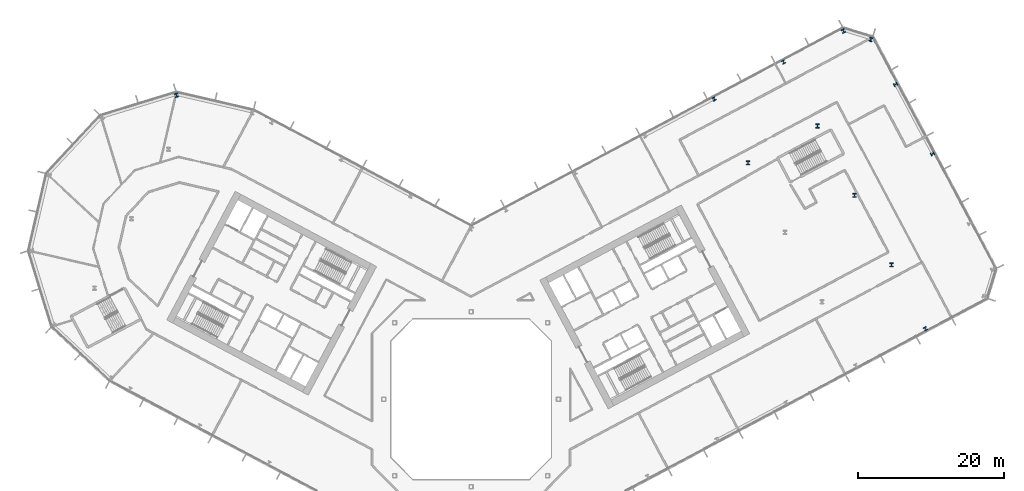
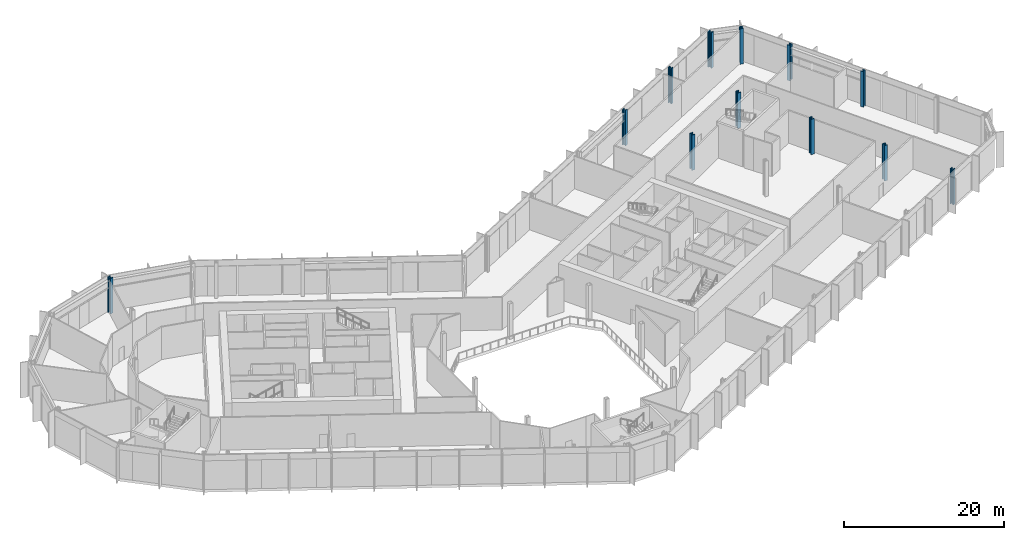
# One storey, part 4 of 31: 12 columns.
"""IFC4 building model written with IfcOpenShell, lengths in metres."""

from ifc_helpers import new_model, si_unit, direction, frame, origin, origin_2d, place, context, subcontext, project, spatial, i_section, extrude, material, material_profile, profile_set, type_object, element, save


model = new_model("IFC4")

# Units and contexts
model_context = context("Model", 3, precision=1e-05, world=origin(), true_north=direction((0.0, 1.0)))
body_context = subcontext(model_context, "Body", "Model", "MODEL_VIEW")
ifc_project = project(units=[si_unit("LENGTHUNIT", "METRE"), si_unit("AREAUNIT", "SQUARE_METRE"), si_unit("VOLUMEUNIT", "CUBIC_METRE"), si_unit("PLANEANGLEUNIT", "RADIAN"), si_unit("MASSUNIT", "GRAM", prefix="KILO")], contexts=[model_context])

# Site, building, storey
site_placement = place(None, origin())
site = spatial("IfcSite", under=ifc_project, at=site_placement, CompositionType="ELEMENT")
building_placement = place(site_placement, origin())
building = spatial("IfcBuilding", under=site, at=building_placement, Name="Cormorant Relay Tower", CompositionType="ELEMENT")
storey_placement = place(building_placement, frame((0.0, 0.0, 50.0)))
storey = spatial("IfcBuildingStorey", under=building, at=storey_placement, Name="L09", CompositionType="ELEMENT", Elevation=50.0)

# Columns
ifc_material_1 = material(Name="Steel ASTM A992 (Fy 345 MPa)", Category="steel")
ifc_material_profile_1 = material_profile(ifc_material_1, i_section(OverallWidth=0.45458984375, OverallDepth=0.569091796875, WebThickness=0.077880859375, FlangeThickness=0.124755859375, FilletRadius=0.015380859375, at=origin_2d()), Name="W360x1086")
ifc_profile_set_1 = profile_set([ifc_material_profile_1], Name="Steel ASTM A992 (Fy 345 MPa)")
column_type_1 = type_object("IfcColumnType", Name="Column W360x1086", PredefinedType="COLUMN", material=ifc_profile_set_1)
for number, where, z_axis, x_axis, name in (
    (1, (57.694091796875, 18.445068359375, 0.0), (0.0, 0.0, 1.0), (1.0, 0.0, 0.0), "Column L09-029"),
    (2, (52.6240234375, 27.98095703125, 0.0), (0.0, 0.0, 1.0), (1.0, 0.0, 0.0), "Column L09-037"),
    (3, (38.01806640625, 32.446044921875, 0.0), (0.0, 0.0, 1.0), (1.0, 0.0, 0.0), "Column L09-040"),
    (4, (47.552978515625, 37.51611328125, 0.0), (0.0, 0.0, 1.0), (1.0, 0.0, 0.0), "Column L09-045"),
    (5, (-40.451904296875, 41.73388671875, 0.0), (0.0, 0.0, 1.0), (-0.956304755963, -0.292371704723, 0.0), "Column L09-050"),
    (6, (54.866943359375, 49.385986328125, 0.0), (0.0, 0.0, 1.0), (-0.956304755963, 0.292371704723, 0.0), "Column L09-053"),
    (7, (51.10302734375, 50.537109375, 0.0), (0.0, 0.0, 1.0), (-0.882947592859, -0.469471562786, 0.0), "Column L09-054"),
):
    element("IfcColumn", number, at=place(storey_placement, frame(where, z_axis=z_axis, x_axis=x_axis)), inside=storey, type_object=column_type_1, Name=name, PredefinedType="COLUMN", context=body_context, shape_type="SweptSolid", body=[
        extrude(i_section(OverallWidth=0.45458984375, OverallDepth=0.569091796875, WebThickness=0.077880859375, FlangeThickness=0.124755859375, FilletRadius=0.015380859375, at=origin_2d()), origin(), (0.0, 0.0, 1.0), 5.39990234375),
    ])
ifc_material_2 = material(Name="Steel ASTM A992 (Fy 345 MPa)", Category="steel")
ifc_material_profile_2 = material_profile(ifc_material_2, i_section(OverallWidth=0.43701171875, OverallDepth=0.51318359375, WebThickness=0.060546875, FlangeThickness=0.096923828125, FilletRadius=0.015380859375, at=origin_2d()), Name="W360x818")
ifc_profile_set_2 = profile_set([ifc_material_profile_2], Name="Steel ASTM A992 (Fy 345 MPa)")
column_type_2 = type_object("IfcColumnType", Name="Column W360x818", PredefinedType="COLUMN", material=ifc_profile_set_2)
for number, where, z_axis, x_axis, name in (
    (8, (62.361083984375, 9.66796875, 0.0), (0.0, 0.0, 1.0), (0.882947592859, 0.469471562786, 0.0), "Column L09-020"),
    (9, (63.343017578125, 33.679931640625, 0.0), (0.0, 0.0, 1.0), (-0.469471562786, 0.882947592859, 0.0), "Column L09-042"),
    (10, (33.35107421875, 41.222900390625, 0.0), (0.0, 0.0, 1.0), (-0.882947592859, -0.469471562786, 0.0), "Column L09-049"),
    (11, (58.27197265625, 43.216064453125, 0.0), (0.0, 0.0, 1.0), (-0.469471562786, 0.882947592859, 0.0), "Column L09-051"),
    (12, (42.886962890625, 46.29296875, 0.0), (0.0, 0.0, 1.0), (-0.882947592859, -0.469471562786, 0.0), "Column L09-052"),
):
    element("IfcColumn", number, at=place(storey_placement, frame(where, z_axis=z_axis, x_axis=x_axis)), inside=storey, type_object=column_type_2, Name=name, PredefinedType="COLUMN", context=body_context, shape_type="SweptSolid", body=[
        extrude(i_section(OverallWidth=0.43701171875, OverallDepth=0.51318359375, WebThickness=0.060546875, FlangeThickness=0.096923828125, FilletRadius=0.015380859375, at=origin_2d()), origin(), (0.0, 0.0, 1.0), 5.39990234375),
    ])

save(model, "model.ifc")
